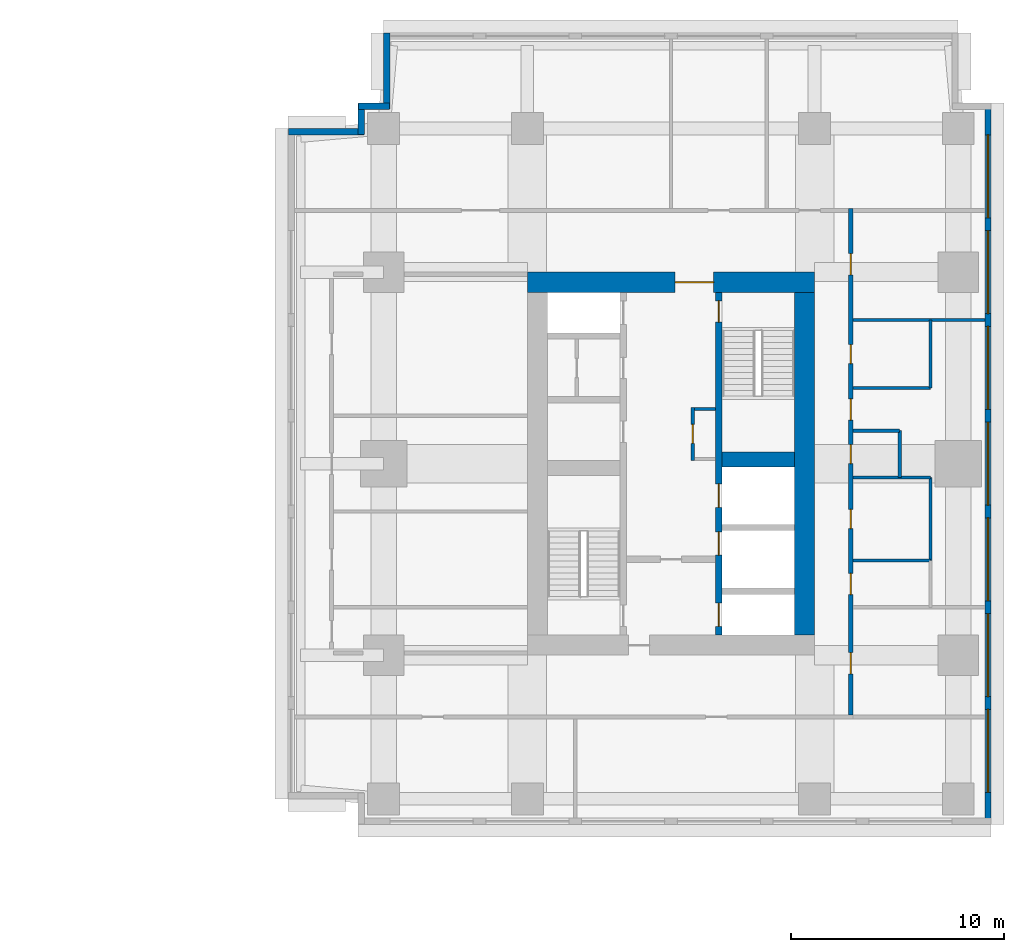
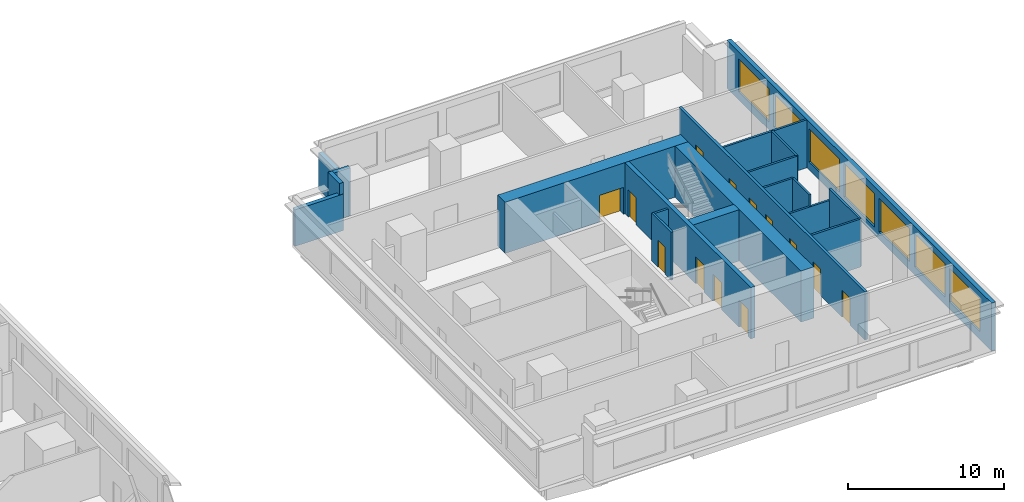
# One storey, part 7 of 10: 20 walls, 13 doors, 7 windows, 20 openings.
"""IFC4 building model written with IfcOpenShell, lengths in metres."""

from ifc_helpers import new_model, si_unit, direction, frame, frame_2d, origin, place, context, subcontext, project, spatial, rectangle, extrude, material, layer, layer_set, type_object, element, fill, save


model = new_model("IFC4")

# Units and contexts
model_context = context("Model", 3, precision=1e-05, world=origin(), true_north=direction((0.0, 1.0)))
body_context = subcontext(model_context, "Body", "Model", "MODEL_VIEW")
ifc_project = project(units=[si_unit("LENGTHUNIT", "METRE"), si_unit("AREAUNIT", "SQUARE_METRE"), si_unit("VOLUMEUNIT", "CUBIC_METRE"), si_unit("PLANEANGLEUNIT", "RADIAN"), si_unit("MASSUNIT", "GRAM", prefix="KILO")], contexts=[model_context])

# Site, building, storey
site_placement = place(None, origin())
site = spatial("IfcSite", under=ifc_project, at=site_placement, CompositionType="ELEMENT")
building_placement = place(site_placement, origin())
building = spatial("IfcBuilding", under=site, at=building_placement, Name="Namib Vertical Campus", CompositionType="ELEMENT")
storey_placement = place(building_placement, frame((0.0, 0.0, 149.0)))
storey = spatial("IfcBuildingStorey", under=building, at=storey_placement, Name="L35", CompositionType="ELEMENT", Elevation=149.0)

# Wall, openings, doors
ifc_material_1 = material(Name="Concrete C60/75", Category="concrete")
ifc_layer_1 = layer(ifc_material_1, 0.300048828125)
ifc_layer_set_1 = layer_set([ifc_layer_1], Name="Concrete C60/75")
wall_type_1 = type_object("IfcWallType", Name="Core inner wall 300", PredefinedType="SHEAR", material=ifc_layer_set_1)
wall_1_placement = place(storey_placement, frame((83.25, 12.199951171875, 0.0), z_axis=(0.0, 0.0, 1.0), x_axis=(0.0, 1.0, 0.0)))
wall_1 = element("IfcWall", 1, at=wall_1_placement, inside=storey, type_object=wall_type_1, Name="Core inner wall B L35 W2", PredefinedType="SHEAR", context=body_context, shape_type="SweptSolid", body=[
    extrude(rectangle(XDim=16.10009765625, YDim=0.300048828125, at=frame_2d((8.050048828125, 0.0))), origin(), (0.0, 0.0, 1.0), 4.0),
])
opening_1_placement = place(wall_1_placement, frame((14.699951171875, 0.0, 0.0)))
opening_1 = element("IfcOpeningElement", 2, at=opening_1_placement, cuts=wall_1, Name="Opening FD1", PredefinedType="OPENING", context=body_context, shape_type="SweptSolid", body=[
    extrude(rectangle(XDim=1.0, YDim=2.10009765625, at=frame_2d((0.5, 1.050048828125))), frame((0.0, 0.159912109375, 0.0), z_axis=(0.0, -1.0, 0.0), x_axis=(1.0, 0.0, 0.0)), (0.0, 0.0, 1.0), 0.320068359375),
])
opening_2_placement = place(wall_1_placement, frame((0.39990234375, 0.0, 0.0)))
opening_2 = element("IfcOpeningElement", 3, at=opening_2_placement, cuts=wall_1, Name="Opening LD1", PredefinedType="OPENING", context=body_context, shape_type="SweptSolid", body=[
    extrude(rectangle(XDim=1.10009765625, YDim=2.10009765625, at=frame_2d((0.550048828125, 1.050048828125))), frame((0.0, 0.159912109375, 0.0), z_axis=(0.0, -1.0, 0.0), x_axis=(1.0, 0.0, 0.0)), (0.0, 0.0, 1.0), 0.320068359375),
])
opening_3_placement = place(wall_1_placement, frame((3.75, 0.0, 0.0)))
opening_3 = element("IfcOpeningElement", 4, at=opening_3_placement, cuts=wall_1, Name="Opening LD1", PredefinedType="OPENING", context=body_context, shape_type="SweptSolid", body=[
    extrude(rectangle(XDim=1.10009765625, YDim=2.10009765625, at=frame_2d((0.550048828125, 1.050048828125))), frame((0.0, 0.159912109375, 0.0), z_axis=(0.0, -1.0, 0.0), x_axis=(1.0, 0.0, 0.0)), (0.0, 0.0, 1.0), 0.320068359375),
])
opening_4_placement = place(wall_1_placement, frame((6.0, 0.0, 0.0)))
opening_4 = element("IfcOpeningElement", 5, at=opening_4_placement, cuts=wall_1, Name="Opening LD1", PredefinedType="OPENING", context=body_context, shape_type="SweptSolid", body=[
    extrude(rectangle(XDim=1.10009765625, YDim=2.10009765625, at=frame_2d((0.550048828125, 1.050048828125))), frame((0.0, 0.159912109375, 0.0), z_axis=(0.0, -1.0, 0.0), x_axis=(1.0, 0.0, 0.0)), (0.0, 0.0, 1.0), 0.320068359375),
])
ifc_material_2 = material(Name="Steel fire door", Category="steel")
door_type_1 = type_object("IfcDoorType", Name="Fire door 1000x2100", OperationType="SINGLE_SWING_RIGHT", PredefinedType="DOOR", material=ifc_material_2)
door_1_placement = place(opening_1_placement, frame((1.0, 0.0, 0.0), z_axis=(0.0, 0.0, 1.0), x_axis=(-1.0, 0.0, 0.0)))
door_1 = element("IfcDoor", 6, at=door_1_placement, inside=storey, type_object=door_type_1, Name="Stair door FD1 B L35 S2", OperationType="SINGLE_SWING_LEFT", OverallHeight=2.10009765625, OverallWidth=1.0, PredefinedType="DOOR", context=body_context, shape_type="SweptSolid", body=[
    extrude(rectangle(XDim=1.0, YDim=2.10009765625, at=frame_2d((0.5, 1.050048828125))), frame((0.0, 0.02490234375, 0.0), z_axis=(0.0, -1.0, 0.0), x_axis=(1.0, 0.0, 0.0)), (0.0, 0.0, 1.0), 0.050048828125),
])
fill(opening_1, door_1)
ifc_material_3 = material(Name="Stainless steel lift door", Category="steel")
door_type_2 = type_object("IfcDoorType", Name="Lift landing door 1100x2100", OperationType="DOUBLE_DOOR_SLIDING", PredefinedType="DOOR", material=ifc_material_3)
door_2_placement = place(opening_2_placement, origin())
door_2 = element("IfcDoor", 7, at=door_2_placement, inside=storey, type_object=door_type_2, Name="Lift landing door LD1 B-FL1 L35", OperationType="DOUBLE_DOOR_SLIDING", OverallHeight=2.10009765625, OverallWidth=1.10009765625, PredefinedType="DOOR", context=body_context, shape_type="SweptSolid", body=[
    extrude(rectangle(XDim=1.10009765625, YDim=2.10009765625, at=frame_2d((0.550048828125, 1.050048828125))), frame((0.0, 0.02490234375, 0.0), z_axis=(0.0, -1.0, 0.0), x_axis=(1.0, 0.0, 0.0)), (0.0, 0.0, 1.0), 0.050048828125),
])
fill(opening_2, door_2)
door_3_placement = place(opening_3_placement, origin())
door_3 = element("IfcDoor", 8, at=door_3_placement, inside=storey, type_object=door_type_2, Name="Lift landing door LD1 B-P4 L35", OperationType="DOUBLE_DOOR_SLIDING", OverallHeight=2.10009765625, OverallWidth=1.10009765625, PredefinedType="DOOR", context=body_context, shape_type="SweptSolid", body=[
    extrude(rectangle(XDim=1.10009765625, YDim=2.10009765625, at=frame_2d((0.550048828125, 1.050048828125))), frame((0.0, 0.02490234375, 0.0), z_axis=(0.0, -1.0, 0.0), x_axis=(1.0, 0.0, 0.0)), (0.0, 0.0, 1.0), 0.050048828125),
])
fill(opening_3, door_3)
door_4_placement = place(opening_4_placement, origin())
door_4 = element("IfcDoor", 9, at=door_4_placement, inside=storey, type_object=door_type_2, Name="Lift landing door LD1 B-P5 L35", OperationType="DOUBLE_DOOR_SLIDING", OverallHeight=2.10009765625, OverallWidth=1.10009765625, PredefinedType="DOOR", context=body_context, shape_type="SweptSolid", body=[
    extrude(rectangle(XDim=1.10009765625, YDim=2.10009765625, at=frame_2d((0.550048828125, 1.050048828125))), frame((0.0, 0.02490234375, 0.0), z_axis=(0.0, -1.0, 0.0), x_axis=(1.0, 0.0, 0.0)), (0.0, 0.0, 1.0), 0.050048828125),
])
fill(opening_4, door_4)

# Walls
ifc_material_4 = material(Name="Concrete C60/75", Category="concrete")
ifc_layer_2 = layer(ifc_material_4, 0.699951171875)
ifc_layer_set_2 = layer_set([ifc_layer_2], Name="Concrete C60/75")
wall_type_2 = type_object("IfcWallType", Name="Core shear wall 700", PredefinedType="SHEAR", material=ifc_layer_set_2)
wall_2_placement = place(storey_placement, frame((83.39990234375, 20.449951171875, 0.0), z_axis=(0.0, 0.0, 1.0), x_axis=(1.0, 0.0, 0.0)))
element("IfcWall", 10, at=wall_2_placement, inside=storey, type_object=wall_type_2, Name="Core shear wall B L35 W7", PredefinedType="SHEAR", context=body_context, shape_type="SweptSolid", body=[
    extrude(rectangle(XDim=3.400146484375, YDim=0.699951171875, at=frame_2d((1.7001953125, 0.0))), origin(), (0.0, 0.0, 1.0), 4.0),
])
ifc_material_5 = material(Name="Concrete C60/75", Category="concrete")
ifc_layer_3 = layer(ifc_material_5, 0.949951171875)
ifc_layer_set_3 = layer_set([ifc_layer_3], Name="Concrete C60/75")
wall_type_3 = type_object("IfcWallType", Name="Core wall 950", PredefinedType="SHEAR", material=ifc_layer_set_3)
wall_3_placement = place(storey_placement, frame((87.27490234375, 12.199951171875, 0.0), z_axis=(0.0, 0.0, 1.0), x_axis=(0.0, 1.0, 0.0)))
element("IfcWall", 11, at=wall_3_placement, inside=storey, type_object=wall_type_3, Name="Core wall B L35 2", PredefinedType="SHEAR", context=body_context, shape_type="SweptSolid", body=[
    extrude(rectangle(XDim=16.10009765625, YDim=0.949951171875, at=frame_2d((8.050048828125, 0.0))), origin(), (0.0, 0.0, 1.0), 4.0),
])

# Wall, opening, door
wall_4_placement = place(storey_placement, frame((87.75, 28.77490234375, 0.0), z_axis=(0.0, 0.0, 1.0), x_axis=(-1.0, 0.0, 0.0)))
wall_4 = element("IfcWall", 12, at=wall_4_placement, inside=storey, type_object=wall_type_3, Name="Core wall B L35 3", PredefinedType="SHEAR", context=body_context, shape_type="SweptSolid", body=[
    extrude(rectangle(XDim=13.5, YDim=0.949951171875, at=frame_2d((6.75, 0.0))), origin(), (0.0, 0.0, 1.0), 4.0),
])
opening_5_placement = place(wall_4_placement, frame((4.75, 0.0, 0.0)))
opening_5 = element("IfcOpeningElement", 13, at=opening_5_placement, cuts=wall_4, Name="Opening FD2", PredefinedType="OPENING", context=body_context, shape_type="SweptSolid", body=[
    extrude(rectangle(XDim=1.800048828125, YDim=2.10009765625, at=frame_2d((0.89990234375, 1.050048828125))), frame((0.0, 0.48486328125, 0.0), z_axis=(0.0, -1.0, 0.0), x_axis=(1.0, 0.0, 0.0)), (0.0, 0.0, 1.0), 0.969970703125),
])
ifc_material_6 = material(Name="Steel fire door", Category="steel")
door_type_3 = type_object("IfcDoorType", Name="Fire door double 1800x2100", OperationType="DOUBLE_DOOR_SINGLE_SWING", PredefinedType="DOOR", material=ifc_material_6)
door_5_placement = place(opening_5_placement, origin())
door_5 = element("IfcDoor", 14, at=door_5_placement, inside=storey, type_object=door_type_3, Name="Lift lobby door FD2 B L35", OperationType="DOUBLE_DOOR_SINGLE_SWING", OverallHeight=2.10009765625, OverallWidth=1.800048828125, PredefinedType="DOOR", context=body_context, shape_type="SweptSolid", body=[
    extrude(rectangle(XDim=1.800048828125, YDim=2.10009765625, at=frame_2d((0.89990234375, 1.050048828125))), frame((0.0, 0.02490234375, 0.0), z_axis=(0.0, -1.0, 0.0), x_axis=(1.0, 0.0, 0.0)), (0.0, 0.0, 1.0), 0.050048828125),
])
fill(opening_5, door_5)

# Wall, openings, doors
ifc_material_7 = material(Name="Concrete masonry", Category="masonry")
ifc_layer_4 = layer(ifc_material_7, 0.199951171875)
ifc_layer_set_4 = layer_set([ifc_layer_4], Name="Corridor wall 200")
wall_type_4 = type_object("IfcWallType", Name="Corridor wall 200", PredefinedType="SOLIDWALL", material=ifc_layer_set_4)
wall_5_placement = place(storey_placement, frame((89.449951171875, 8.449951171875, 0.0), z_axis=(0.0, 0.0, 1.0), x_axis=(0.0, 1.0, 0.0)))
wall_5 = element("IfcWall", 15, at=wall_5_placement, inside=storey, type_object=wall_type_4, Name="Corridor wall B L35 CE", PredefinedType="SOLIDWALL", context=body_context, shape_type="SweptSolid", body=[
    extrude(rectangle(XDim=23.800048828125, YDim=0.199951171875, at=frame_2d((11.89990234375, 0.0))), origin(), (0.0, 0.0, 1.0), 3.75),
])
opening_6_placement = place(wall_5_placement, frame((1.925048828125, 0.0, 0.0)))
opening_6 = element("IfcOpeningElement", 16, at=opening_6_placement, cuts=wall_5, Name="Opening CD1", PredefinedType="OPENING", context=body_context, shape_type="SweptSolid", body=[
    extrude(rectangle(XDim=1.0, YDim=2.10009765625, at=frame_2d((0.5, 1.050048828125))), frame((0.0, 0.10986328125, 0.0), z_axis=(0.0, -1.0, 0.0), x_axis=(1.0, 0.0, 0.0)), (0.0, 0.0, 1.0), 0.219970703125),
])
opening_7_placement = place(wall_5_placement, frame((5.64990234375, 0.0, 0.0)))
opening_7 = element("IfcOpeningElement", 17, at=opening_7_placement, cuts=wall_5, Name="Opening CD1", PredefinedType="OPENING", context=body_context, shape_type="SweptSolid", body=[
    extrude(rectangle(XDim=1.0, YDim=2.10009765625, at=frame_2d((0.5, 1.050048828125))), frame((0.0, 0.10986328125, 0.0), z_axis=(0.0, -1.0, 0.0), x_axis=(1.0, 0.0, 0.0)), (0.0, 0.0, 1.0), 0.219970703125),
])
opening_8_placement = place(wall_5_placement, frame((8.75, 0.0, 0.0)))
opening_8 = element("IfcOpeningElement", 18, at=opening_8_placement, cuts=wall_5, Name="Opening CD3", PredefinedType="OPENING", context=body_context, shape_type="SweptSolid", body=[
    extrude(rectangle(XDim=0.89990234375, YDim=2.10009765625, at=frame_2d((0.449951171875, 1.050048828125))), frame((0.0, 0.10986328125, 0.0), z_axis=(0.0, -1.0, 0.0), x_axis=(1.0, 0.0, 0.0)), (0.0, 0.0, 1.0), 0.219970703125),
])
opening_9_placement = place(wall_5_placement, frame((11.800048828125, 0.0, 0.0)))
opening_9 = element("IfcOpeningElement", 19, at=opening_9_placement, cuts=wall_5, Name="Opening CD3", PredefinedType="OPENING", context=body_context, shape_type="SweptSolid", body=[
    extrude(rectangle(XDim=0.89990234375, YDim=2.10009765625, at=frame_2d((0.449951171875, 1.050048828125))), frame((0.0, 0.10986328125, 0.0), z_axis=(0.0, -1.0, 0.0), x_axis=(1.0, 0.0, 0.0)), (0.0, 0.0, 1.0), 0.219970703125),
])
opening_10_placement = place(wall_5_placement, frame((16.5, 0.0, 0.0)))
opening_10 = element("IfcOpeningElement", 20, at=opening_10_placement, cuts=wall_5, Name="Opening CD3", PredefinedType="OPENING", context=body_context, shape_type="SweptSolid", body=[
    extrude(rectangle(XDim=0.89990234375, YDim=2.10009765625, at=frame_2d((0.449951171875, 1.050048828125))), frame((0.0, 0.10986328125, 0.0), z_axis=(0.0, -1.0, 0.0), x_axis=(1.0, 0.0, 0.0)), (0.0, 0.0, 1.0), 0.219970703125),
])
opening_11_placement = place(wall_5_placement, frame((13.85009765625, 0.0, 0.0)))
opening_11 = element("IfcOpeningElement", 21, at=opening_11_placement, cuts=wall_5, Name="Opening CD1", PredefinedType="OPENING", context=body_context, shape_type="SweptSolid", body=[
    extrude(rectangle(XDim=1.0, YDim=2.10009765625, at=frame_2d((0.5, 1.050048828125))), frame((0.0, 0.10986328125, 0.0), z_axis=(0.0, -1.0, 0.0), x_axis=(1.0, 0.0, 0.0)), (0.0, 0.0, 1.0), 0.219970703125),
])
opening_12_placement = place(wall_5_placement, frame((20.675048828125, 0.0, 0.0)))
opening_12 = element("IfcOpeningElement", 22, at=opening_12_placement, cuts=wall_5, Name="Opening CD1", PredefinedType="OPENING", context=body_context, shape_type="SweptSolid", body=[
    extrude(rectangle(XDim=1.0, YDim=2.10009765625, at=frame_2d((0.5, 1.050048828125))), frame((0.0, 0.10986328125, 0.0), z_axis=(0.0, -1.0, 0.0), x_axis=(1.0, 0.0, 0.0)), (0.0, 0.0, 1.0), 0.219970703125),
])
ifc_material_8 = material(Name="Timber fire door leaf", Category="wood")
door_type_4 = type_object("IfcDoorType", Name="Corridor door 1000x2100 20 min", OperationType="SINGLE_SWING_LEFT", PredefinedType="DOOR", material=ifc_material_8)
door_6_placement = place(opening_6_placement, frame((1.0, 0.0, 0.0), z_axis=(0.0, 0.0, 1.0), x_axis=(-1.0, 0.0, 0.0)))
door_6 = element("IfcDoor", 23, at=door_6_placement, inside=storey, type_object=door_type_4, Name="Door CD1 B35-03", OperationType="SINGLE_SWING_RIGHT", OverallHeight=2.10009765625, OverallWidth=1.0, PredefinedType="DOOR", context=body_context, shape_type="SweptSolid", body=[
    extrude(rectangle(XDim=1.0, YDim=2.10009765625, at=frame_2d((0.5, 1.050048828125))), frame((0.0, 0.02490234375, 0.0), z_axis=(0.0, -1.0, 0.0), x_axis=(1.0, 0.0, 0.0)), (0.0, 0.0, 1.0), 0.050048828125),
])
fill(opening_6, door_6)
door_7_placement = place(opening_7_placement, frame((1.0, 0.0, 0.0), z_axis=(0.0, 0.0, 1.0), x_axis=(-1.0, 0.0, 0.0)))
door_7 = element("IfcDoor", 24, at=door_7_placement, inside=storey, type_object=door_type_4, Name="Door CD1 B35-04", OperationType="SINGLE_SWING_RIGHT", OverallHeight=2.10009765625, OverallWidth=1.0, PredefinedType="DOOR", context=body_context, shape_type="SweptSolid", body=[
    extrude(rectangle(XDim=1.0, YDim=2.10009765625, at=frame_2d((0.5, 1.050048828125))), frame((0.0, 0.02490234375, 0.0), z_axis=(0.0, -1.0, 0.0), x_axis=(1.0, 0.0, 0.0)), (0.0, 0.0, 1.0), 0.050048828125),
])
fill(opening_7, door_7)
door_8_placement = place(opening_11_placement, frame((1.0, 0.0, 0.0), z_axis=(0.0, 0.0, 1.0), x_axis=(-1.0, 0.0, 0.0)))
door_8 = element("IfcDoor", 25, at=door_8_placement, inside=storey, type_object=door_type_4, Name="Door CD1 B35-08", OperationType="SINGLE_SWING_RIGHT", OverallHeight=2.10009765625, OverallWidth=1.0, PredefinedType="DOOR", context=body_context, shape_type="SweptSolid", body=[
    extrude(rectangle(XDim=1.0, YDim=2.10009765625, at=frame_2d((0.5, 1.050048828125))), frame((0.0, 0.02490234375, 0.0), z_axis=(0.0, -1.0, 0.0), x_axis=(1.0, 0.0, 0.0)), (0.0, 0.0, 1.0), 0.050048828125),
])
fill(opening_11, door_8)
door_9_placement = place(opening_12_placement, frame((1.0, 0.0, 0.0), z_axis=(0.0, 0.0, 1.0), x_axis=(-1.0, 0.0, 0.0)))
door_9 = element("IfcDoor", 26, at=door_9_placement, inside=storey, type_object=door_type_4, Name="Door CD1 B35-09", OperationType="SINGLE_SWING_RIGHT", OverallHeight=2.10009765625, OverallWidth=1.0, PredefinedType="DOOR", context=body_context, shape_type="SweptSolid", body=[
    extrude(rectangle(XDim=1.0, YDim=2.10009765625, at=frame_2d((0.5, 1.050048828125))), frame((0.0, 0.02490234375, 0.0), z_axis=(0.0, -1.0, 0.0), x_axis=(1.0, 0.0, 0.0)), (0.0, 0.0, 1.0), 0.050048828125),
])
fill(opening_12, door_9)
ifc_material_9 = material(Name="Timber fire door leaf", Category="wood")
door_type_5 = type_object("IfcDoorType", Name="Corridor toilet door 900x2100 20 min", OperationType="SINGLE_SWING_LEFT", PredefinedType="DOOR", material=ifc_material_9)
door_10_placement = place(opening_8_placement, frame((0.89990234375, 0.0, 0.0), z_axis=(0.0, 0.0, 1.0), x_axis=(-1.0, 0.0, 0.0)))
door_10 = element("IfcDoor", 27, at=door_10_placement, inside=storey, type_object=door_type_5, Name="Door CD3 B35-05", OperationType="SINGLE_SWING_RIGHT", OverallHeight=2.10009765625, OverallWidth=0.89990234375, PredefinedType="DOOR", context=body_context, shape_type="SweptSolid", body=[
    extrude(rectangle(XDim=0.89990234375, YDim=2.10009765625, at=frame_2d((0.449951171875, 1.050048828125))), frame((0.0, 0.02490234375, 0.0), z_axis=(0.0, -1.0, 0.0), x_axis=(1.0, 0.0, 0.0)), (0.0, 0.0, 1.0), 0.050048828125),
])
fill(opening_8, door_10)
door_11_placement = place(opening_9_placement, frame((0.89990234375, 0.0, 0.0), z_axis=(0.0, 0.0, 1.0), x_axis=(-1.0, 0.0, 0.0)))
door_11 = element("IfcDoor", 28, at=door_11_placement, inside=storey, type_object=door_type_5, Name="Door CD3 B35-06", OperationType="SINGLE_SWING_RIGHT", OverallHeight=2.10009765625, OverallWidth=0.89990234375, PredefinedType="DOOR", context=body_context, shape_type="SweptSolid", body=[
    extrude(rectangle(XDim=0.89990234375, YDim=2.10009765625, at=frame_2d((0.449951171875, 1.050048828125))), frame((0.0, 0.02490234375, 0.0), z_axis=(0.0, -1.0, 0.0), x_axis=(1.0, 0.0, 0.0)), (0.0, 0.0, 1.0), 0.050048828125),
])
fill(opening_9, door_11)
door_12_placement = place(opening_10_placement, frame((0.89990234375, 0.0, 0.0), z_axis=(0.0, 0.0, 1.0), x_axis=(-1.0, 0.0, 0.0)))
door_12 = element("IfcDoor", 29, at=door_12_placement, inside=storey, type_object=door_type_5, Name="Door CD3 B35-07", OperationType="SINGLE_SWING_RIGHT", OverallHeight=2.10009765625, OverallWidth=0.89990234375, PredefinedType="DOOR", context=body_context, shape_type="SweptSolid", body=[
    extrude(rectangle(XDim=0.89990234375, YDim=2.10009765625, at=frame_2d((0.449951171875, 1.050048828125))), frame((0.0, 0.02490234375, 0.0), z_axis=(0.0, -1.0, 0.0), x_axis=(1.0, 0.0, 0.0)), (0.0, 0.0, 1.0), 0.050048828125),
])
fill(opening_10, door_12)

# Wall, openings, windows
ifc_material_10 = material(Name="Concrete C40/50", Category="concrete")
ifc_layer_5 = layer(ifc_material_10, 0.300048828125)
ifc_layer_set_5 = layer_set([ifc_layer_5], Name="Concrete C40/50")
wall_type_5 = type_object("IfcWallType", Name="External wall 300 board-marked concrete", PredefinedType="STANDARD", material=ifc_layer_set_5)
wall_6_placement = place(storey_placement, frame((95.89990234375, 3.320068359375, 0.0), z_axis=(0.0, 0.0, 1.0), x_axis=(0.0, 1.0, 0.0)))
wall_6 = element("IfcWall", 30, at=wall_6_placement, inside=storey, type_object=wall_type_5, Name="External wall L35 F04", PredefinedType="STANDARD", context=body_context, shape_type="SweptSolid", body=[
    extrude(rectangle(XDim=33.85986328125, YDim=0.300048828125, at=frame_2d((16.929931640625, 0.0))), origin(), (0.0, 0.0, 1.0), 3.75),
])
opening_13_placement = place(wall_6_placement, frame((1.47998046875, 0.0, 0.60009765625)))
opening_13 = element("IfcOpeningElement", 31, at=opening_13_placement, cuts=wall_6, Name="Opening W2", PredefinedType="OPENING", context=body_context, shape_type="SweptSolid", body=[
    extrude(rectangle(XDim=3.89990234375, YDim=2.60009765625, at=frame_2d((1.949951171875, 1.300048828125))), frame((0.0, 0.159912109375, 0.0), z_axis=(0.0, -1.0, 0.0), x_axis=(1.0, 0.0, 0.0)), (0.0, 0.0, 1.0), 0.320068359375),
])
opening_14_placement = place(wall_6_placement, frame((5.97998046875, 0.0, 0.60009765625)))
opening_14 = element("IfcOpeningElement", 32, at=opening_14_placement, cuts=wall_6, Name="Opening W2", PredefinedType="OPENING", context=body_context, shape_type="SweptSolid", body=[
    extrude(rectangle(XDim=3.89990234375, YDim=2.60009765625, at=frame_2d((1.949951171875, 1.300048828125))), frame((0.0, 0.159912109375, 0.0), z_axis=(0.0, -1.0, 0.0), x_axis=(1.0, 0.0, 0.0)), (0.0, 0.0, 1.0), 0.320068359375),
])
opening_15_placement = place(wall_6_placement, frame((10.47998046875, 0.0, 0.60009765625)))
opening_15 = element("IfcOpeningElement", 33, at=opening_15_placement, cuts=wall_6, Name="Opening W2", PredefinedType="OPENING", context=body_context, shape_type="SweptSolid", body=[
    extrude(rectangle(XDim=3.89990234375, YDim=2.60009765625, at=frame_2d((1.949951171875, 1.300048828125))), frame((0.0, 0.159912109375, 0.0), z_axis=(0.0, -1.0, 0.0), x_axis=(1.0, 0.0, 0.0)), (0.0, 0.0, 1.0), 0.320068359375),
])
opening_16_placement = place(wall_6_placement, frame((14.97998046875, 0.0, 0.60009765625)))
opening_16 = element("IfcOpeningElement", 34, at=opening_16_placement, cuts=wall_6, Name="Opening W2", PredefinedType="OPENING", context=body_context, shape_type="SweptSolid", body=[
    extrude(rectangle(XDim=3.89990234375, YDim=2.60009765625, at=frame_2d((1.949951171875, 1.300048828125))), frame((0.0, 0.159912109375, 0.0), z_axis=(0.0, -1.0, 0.0), x_axis=(1.0, 0.0, 0.0)), (0.0, 0.0, 1.0), 0.320068359375),
])
opening_17_placement = place(wall_6_placement, frame((19.47998046875, 0.0, 0.60009765625)))
opening_17 = element("IfcOpeningElement", 35, at=opening_17_placement, cuts=wall_6, Name="Opening W2", PredefinedType="OPENING", context=body_context, shape_type="SweptSolid", body=[
    extrude(rectangle(XDim=3.89990234375, YDim=2.60009765625, at=frame_2d((1.949951171875, 1.300048828125))), frame((0.0, 0.159912109375, 0.0), z_axis=(0.0, -1.0, 0.0), x_axis=(1.0, 0.0, 0.0)), (0.0, 0.0, 1.0), 0.320068359375),
])
opening_18_placement = place(wall_6_placement, frame((23.97998046875, 0.0, 0.60009765625)))
opening_18 = element("IfcOpeningElement", 36, at=opening_18_placement, cuts=wall_6, Name="Opening W2", PredefinedType="OPENING", context=body_context, shape_type="SweptSolid", body=[
    extrude(rectangle(XDim=3.89990234375, YDim=2.60009765625, at=frame_2d((1.949951171875, 1.300048828125))), frame((0.0, 0.159912109375, 0.0), z_axis=(0.0, -1.0, 0.0), x_axis=(1.0, 0.0, 0.0)), (0.0, 0.0, 1.0), 0.320068359375),
])
opening_19_placement = place(wall_6_placement, frame((28.47998046875, 0.0, 0.60009765625)))
opening_19 = element("IfcOpeningElement", 37, at=opening_19_placement, cuts=wall_6, Name="Opening W2", PredefinedType="OPENING", context=body_context, shape_type="SweptSolid", body=[
    extrude(rectangle(XDim=3.89990234375, YDim=2.60009765625, at=frame_2d((1.949951171875, 1.300048828125))), frame((0.0, 0.159912109375, 0.0), z_axis=(0.0, -1.0, 0.0), x_axis=(1.0, 0.0, 0.0)), (0.0, 0.0, 1.0), 0.320068359375),
])
ifc_material_11 = material(Name="Dark tinted glass in black aluminium frame", Category="aluminium")
window_type = type_object("IfcWindowType", Name="Ribbon window 3900x2600", PartitioningType="SINGLE_PANEL", PredefinedType="WINDOW", material=ifc_material_11)
window_1_placement = place(opening_13_placement, origin())
window_1 = element("IfcWindow", 38, at=window_1_placement, inside=storey, type_object=window_type, Name="Window W2 L35 F04-1", OverallHeight=2.60009765625, OverallWidth=3.89990234375, PartitioningType="SINGLE_PANEL", PredefinedType="WINDOW", context=body_context, shape_type="SweptSolid", body=[
    extrude(rectangle(XDim=3.89990234375, YDim=2.60009765625, at=frame_2d((1.949951171875, 1.300048828125))), frame((0.0, 0.030029296875, 0.0), z_axis=(0.0, -1.0, 0.0), x_axis=(1.0, 0.0, 0.0)), (0.0, 0.0, 1.0), 0.06005859375),
])
fill(opening_13, window_1)
window_2_placement = place(opening_14_placement, origin())
window_2 = element("IfcWindow", 39, at=window_2_placement, inside=storey, type_object=window_type, Name="Window W2 L35 F04-2", OverallHeight=2.60009765625, OverallWidth=3.89990234375, PartitioningType="SINGLE_PANEL", PredefinedType="WINDOW", context=body_context, shape_type="SweptSolid", body=[
    extrude(rectangle(XDim=3.89990234375, YDim=2.60009765625, at=frame_2d((1.949951171875, 1.300048828125))), frame((0.0, 0.030029296875, 0.0), z_axis=(0.0, -1.0, 0.0), x_axis=(1.0, 0.0, 0.0)), (0.0, 0.0, 1.0), 0.06005859375),
])
fill(opening_14, window_2)
window_3_placement = place(opening_15_placement, origin())
window_3 = element("IfcWindow", 40, at=window_3_placement, inside=storey, type_object=window_type, Name="Window W2 L35 F04-3", OverallHeight=2.60009765625, OverallWidth=3.89990234375, PartitioningType="SINGLE_PANEL", PredefinedType="WINDOW", context=body_context, shape_type="SweptSolid", body=[
    extrude(rectangle(XDim=3.89990234375, YDim=2.60009765625, at=frame_2d((1.949951171875, 1.300048828125))), frame((0.0, 0.030029296875, 0.0), z_axis=(0.0, -1.0, 0.0), x_axis=(1.0, 0.0, 0.0)), (0.0, 0.0, 1.0), 0.06005859375),
])
fill(opening_15, window_3)
window_4_placement = place(opening_16_placement, origin())
window_4 = element("IfcWindow", 41, at=window_4_placement, inside=storey, type_object=window_type, Name="Window W2 L35 F04-4", OverallHeight=2.60009765625, OverallWidth=3.89990234375, PartitioningType="SINGLE_PANEL", PredefinedType="WINDOW", context=body_context, shape_type="SweptSolid", body=[
    extrude(rectangle(XDim=3.89990234375, YDim=2.60009765625, at=frame_2d((1.949951171875, 1.300048828125))), frame((0.0, 0.030029296875, 0.0), z_axis=(0.0, -1.0, 0.0), x_axis=(1.0, 0.0, 0.0)), (0.0, 0.0, 1.0), 0.06005859375),
])
fill(opening_16, window_4)
window_5_placement = place(opening_17_placement, origin())
window_5 = element("IfcWindow", 42, at=window_5_placement, inside=storey, type_object=window_type, Name="Window W2 L35 F04-5", OverallHeight=2.60009765625, OverallWidth=3.89990234375, PartitioningType="SINGLE_PANEL", PredefinedType="WINDOW", context=body_context, shape_type="SweptSolid", body=[
    extrude(rectangle(XDim=3.89990234375, YDim=2.60009765625, at=frame_2d((1.949951171875, 1.300048828125))), frame((0.0, 0.030029296875, 0.0), z_axis=(0.0, -1.0, 0.0), x_axis=(1.0, 0.0, 0.0)), (0.0, 0.0, 1.0), 0.06005859375),
])
fill(opening_17, window_5)
window_6_placement = place(opening_18_placement, origin())
window_6 = element("IfcWindow", 43, at=window_6_placement, inside=storey, type_object=window_type, Name="Window W2 L35 F04-6", OverallHeight=2.60009765625, OverallWidth=3.89990234375, PartitioningType="SINGLE_PANEL", PredefinedType="WINDOW", context=body_context, shape_type="SweptSolid", body=[
    extrude(rectangle(XDim=3.89990234375, YDim=2.60009765625, at=frame_2d((1.949951171875, 1.300048828125))), frame((0.0, 0.030029296875, 0.0), z_axis=(0.0, -1.0, 0.0), x_axis=(1.0, 0.0, 0.0)), (0.0, 0.0, 1.0), 0.06005859375),
])
fill(opening_18, window_6)
window_7_placement = place(opening_19_placement, origin())
window_7 = element("IfcWindow", 44, at=window_7_placement, inside=storey, type_object=window_type, Name="Window W2 L35 F04-7", OverallHeight=2.60009765625, OverallWidth=3.89990234375, PartitioningType="SINGLE_PANEL", PredefinedType="WINDOW", context=body_context, shape_type="SweptSolid", body=[
    extrude(rectangle(XDim=3.89990234375, YDim=2.60009765625, at=frame_2d((1.949951171875, 1.300048828125))), frame((0.0, 0.030029296875, 0.0), z_axis=(0.0, -1.0, 0.0), x_axis=(1.0, 0.0, 0.0)), (0.0, 0.0, 1.0), 0.06005859375),
])
fill(opening_19, window_7)

# Walls
wall_7_placement = place(storey_placement, frame((67.64990234375, 40.47998046875, 0.0), z_axis=(0.0, 0.0, 1.0), x_axis=(0.0, -1.0, 0.0)))
element("IfcWall", 45, at=wall_7_placement, inside=storey, type_object=wall_type_5, Name="External wall L35 F08", PredefinedType="STANDARD", context=body_context, shape_type="SweptSolid", body=[
    extrude(rectangle(XDim=3.56005859375, YDim=0.300048828125, at=frame_2d((1.780029296875, 0.0))), origin(), (0.0, 0.0, 1.0), 2.85009765625),
])
for number, where, z_axis, x_axis, name in (
    (46, (67.780029296875, 37.050048828125, 0.0), (0.0, 0.0, 1.0), (-1.0, 0.0, 0.0), "External wall L35 F09"),
    (47, (66.449951171875, 37.179931640625, 0.0), (0.0, 0.0, 1.0), (0.0, -1.0, 0.0), "External wall L35 F10"),
):
    element("IfcWall", number, at=place(storey_placement, frame(where, z_axis=z_axis, x_axis=x_axis)), inside=storey, type_object=wall_type_5, Name=name, PredefinedType="STANDARD", context=body_context, shape_type="SweptSolid", body=[
        extrude(rectangle(XDim=1.4599609375, YDim=0.300048828125, at=frame_2d((0.72998046875, 0.0))), origin(), (0.0, 0.0, 1.0), 3.75),
    ])
wall_8_placement = place(storey_placement, frame((66.580078125, 35.85009765625, 0.0), z_axis=(0.0, 0.0, 1.0), x_axis=(-1.0, 0.0, 0.0)))
element("IfcWall", 48, at=wall_8_placement, inside=storey, type_object=wall_type_5, Name="External wall L35 F11", PredefinedType="STANDARD", context=body_context, shape_type="SweptSolid", body=[
    extrude(rectangle(XDim=3.56005859375, YDim=0.300048828125, at=frame_2d((1.780029296875, 0.0))), origin(), (0.0, 0.0, 1.0), 2.85009765625),
])

# Wall, opening, door
ifc_material_12 = material(Name="Gypsum board on steel studs", Category="steel")
ifc_layer_6 = layer(ifc_material_12, 0.14990234375)
ifc_layer_set_6 = layer_set([ifc_layer_6], Name="Gypsum board on steel studs")
wall_type_6 = type_object("IfcWallType", Name="Partition 150", PredefinedType="PARTITIONING", material=ifc_layer_set_6)
wall_9_placement = place(storey_placement, frame((82.02490234375, 20.39990234375, 0.0), z_axis=(0.0, 0.0, 1.0), x_axis=(0.0, 1.0, 0.0)))
wall_9 = element("IfcWall", 49, at=wall_9_placement, inside=storey, type_object=wall_type_6, Name="Partition B L35 Cleaners' store front", PredefinedType="PARTITIONING", context=body_context, shape_type="SweptSolid", body=[
    extrude(rectangle(XDim=2.5, YDim=0.14990234375, at=frame_2d((1.25, 0.0))), origin(), (0.0, 0.0, 1.0), 3.75),
])
opening_20_placement = place(wall_9_placement, frame((0.800048828125, 0.0, 0.0)))
opening_20 = element("IfcOpeningElement", 50, at=opening_20_placement, cuts=wall_9, Name="Opening D3", PredefinedType="OPENING", context=body_context, shape_type="SweptSolid", body=[
    extrude(rectangle(XDim=0.89990234375, YDim=2.10009765625, at=frame_2d((0.449951171875, 1.050048828125))), frame((0.0, 0.0849609375, 0.0), z_axis=(0.0, -1.0, 0.0), x_axis=(1.0, 0.0, 0.0)), (0.0, 0.0, 1.0), 0.169921875),
])
ifc_material_13 = material(Name="Timber door leaf", Category="wood")
door_type_6 = type_object("IfcDoorType", Name="Toilet door 900x2100", OperationType="SINGLE_SWING_LEFT", PredefinedType="DOOR", material=ifc_material_13)
door_13_placement = place(opening_20_placement, frame((0.89990234375, 0.0, 0.0), z_axis=(0.0, 0.0, 1.0), x_axis=(-1.0, 0.0, 0.0)))
door_13 = element("IfcDoor", 51, at=door_13_placement, inside=storey, type_object=door_type_6, Name="Door D3 Cleaners' store B L35", OperationType="SINGLE_SWING_RIGHT", OverallHeight=2.10009765625, OverallWidth=0.89990234375, PredefinedType="DOOR", context=body_context, shape_type="SweptSolid", body=[
    extrude(rectangle(XDim=0.89990234375, YDim=2.10009765625, at=frame_2d((0.449951171875, 1.050048828125))), frame((0.0, 0.02490234375, 0.0), z_axis=(0.0, -1.0, 0.0), x_axis=(1.0, 0.0, 0.0)), (0.0, 0.0, 1.0), 0.050048828125),
])
fill(opening_20, door_13)

# Walls
wall_10_placement = place(storey_placement, frame((82.10009765625, 22.824951171875, 0.0), z_axis=(0.0, 0.0, 1.0), x_axis=(1.0, 0.0, 0.0)))
element("IfcWall", 52, at=wall_10_placement, inside=storey, type_object=wall_type_6, Name="Partition B L35 Cleaners' store end 2", PredefinedType="PARTITIONING", context=body_context, shape_type="SweptSolid", body=[
    extrude(rectangle(XDim=1.0, YDim=0.14990234375, at=frame_2d((0.5, 0.0))), origin(), (0.0, 0.0, 1.0), 3.75),
])
wall_11_placement = place(storey_placement, frame((89.550048828125, 27.0, 0.0), z_axis=(0.0, 0.0, 1.0), x_axis=(1.0, 0.0, 0.0)))
element("IfcWall", 53, at=wall_11_placement, inside=storey, type_object=wall_type_6, Name="Partition B L35 PE2", PredefinedType="PARTITIONING", context=body_context, shape_type="SweptSolid", body=[
    extrude(rectangle(XDim=6.199951171875, YDim=0.14990234375, at=frame_2d((3.10009765625, 0.0))), origin(), (0.0, 0.0, 1.0), 3.75),
])
wall_12_placement = place(storey_placement, frame((89.550048828125, 15.699951171875, 0.0), z_axis=(0.0, 0.0, 1.0), x_axis=(1.0, 0.0, 0.0)))
element("IfcWall", 54, at=wall_12_placement, inside=storey, type_object=wall_type_6, Name="Partition B L35 WR1", PredefinedType="PARTITIONING", context=body_context, shape_type="SweptSolid", body=[
    extrude(rectangle(XDim=3.64990234375, YDim=0.14990234375, at=frame_2d((1.824951171875, 0.0))), origin(), (0.0, 0.0, 1.0), 3.75),
])
wall_13_placement = place(storey_placement, frame((89.550048828125, 19.60009765625, 0.0), z_axis=(0.0, 0.0, 1.0), x_axis=(1.0, 0.0, 0.0)))
element("IfcWall", 55, at=wall_13_placement, inside=storey, type_object=wall_type_6, Name="Partition B L35 WR2", PredefinedType="PARTITIONING", context=body_context, shape_type="SweptSolid", body=[
    extrude(rectangle(XDim=3.64990234375, YDim=0.14990234375, at=frame_2d((1.824951171875, 0.0))), origin(), (0.0, 0.0, 1.0), 2.85009765625),
])
wall_14_placement = place(storey_placement, frame((89.550048828125, 21.800048828125, 0.0), z_axis=(0.0, 0.0, 1.0), x_axis=(1.0, 0.0, 0.0)))
element("IfcWall", 56, at=wall_14_placement, inside=storey, type_object=wall_type_6, Name="Partition B L35 WR3", PredefinedType="PARTITIONING", context=body_context, shape_type="SweptSolid", body=[
    extrude(rectangle(XDim=2.199951171875, YDim=0.14990234375, at=frame_2d((1.10009765625, 0.0))), origin(), (0.0, 0.0, 1.0), 3.75),
])
wall_15_placement = place(storey_placement, frame((89.550048828125, 23.800048828125, 0.0), z_axis=(0.0, 0.0, 1.0), x_axis=(1.0, 0.0, 0.0)))
element("IfcWall", 57, at=wall_15_placement, inside=storey, type_object=wall_type_6, Name="Partition B L35 WR4", PredefinedType="PARTITIONING", context=body_context, shape_type="SweptSolid", body=[
    extrude(rectangle(XDim=3.64990234375, YDim=0.14990234375, at=frame_2d((1.824951171875, 0.0))), origin(), (0.0, 0.0, 1.0), 3.75),
])
wall_16_placement = place(storey_placement, frame((93.199951171875, 15.699951171875, 0.0), z_axis=(0.0, 0.0, 1.0), x_axis=(0.0, 1.0, 0.0)))
element("IfcWall", 58, at=wall_16_placement, inside=storey, type_object=wall_type_6, Name="Partition B L35 WB2", PredefinedType="PARTITIONING", context=body_context, shape_type="SweptSolid", body=[
    extrude(rectangle(XDim=3.900146484375, YDim=0.14990234375, at=frame_2d((1.9501953125, 0.0))), origin(), (0.0, 0.0, 1.0), 3.75),
])
wall_17_placement = place(storey_placement, frame((91.75, 19.60009765625, 0.0), z_axis=(0.0, 0.0, 1.0), x_axis=(0.0, 1.0, 0.0)))
element("IfcWall", 59, at=wall_17_placement, inside=storey, type_object=wall_type_6, Name="Partition B L35 WB3", PredefinedType="PARTITIONING", context=body_context, shape_type="SweptSolid", body=[
    extrude(rectangle(XDim=2.199951171875, YDim=0.14990234375, at=frame_2d((1.10009765625, 0.0))), origin(), (0.0, 0.0, 1.0), 3.75),
])
wall_18_placement = place(storey_placement, frame((93.199951171875, 23.800048828125, 0.0), z_axis=(0.0, 0.0, 1.0), x_axis=(0.0, 1.0, 0.0)))
element("IfcWall", 60, at=wall_18_placement, inside=storey, type_object=wall_type_6, Name="Partition B L35 WB4", PredefinedType="PARTITIONING", context=body_context, shape_type="SweptSolid", body=[
    extrude(rectangle(XDim=3.199951171875, YDim=0.14990234375, at=frame_2d((1.60009765625, 0.0))), origin(), (0.0, 0.0, 1.0), 3.75),
])

save(model, "model.ifc")
